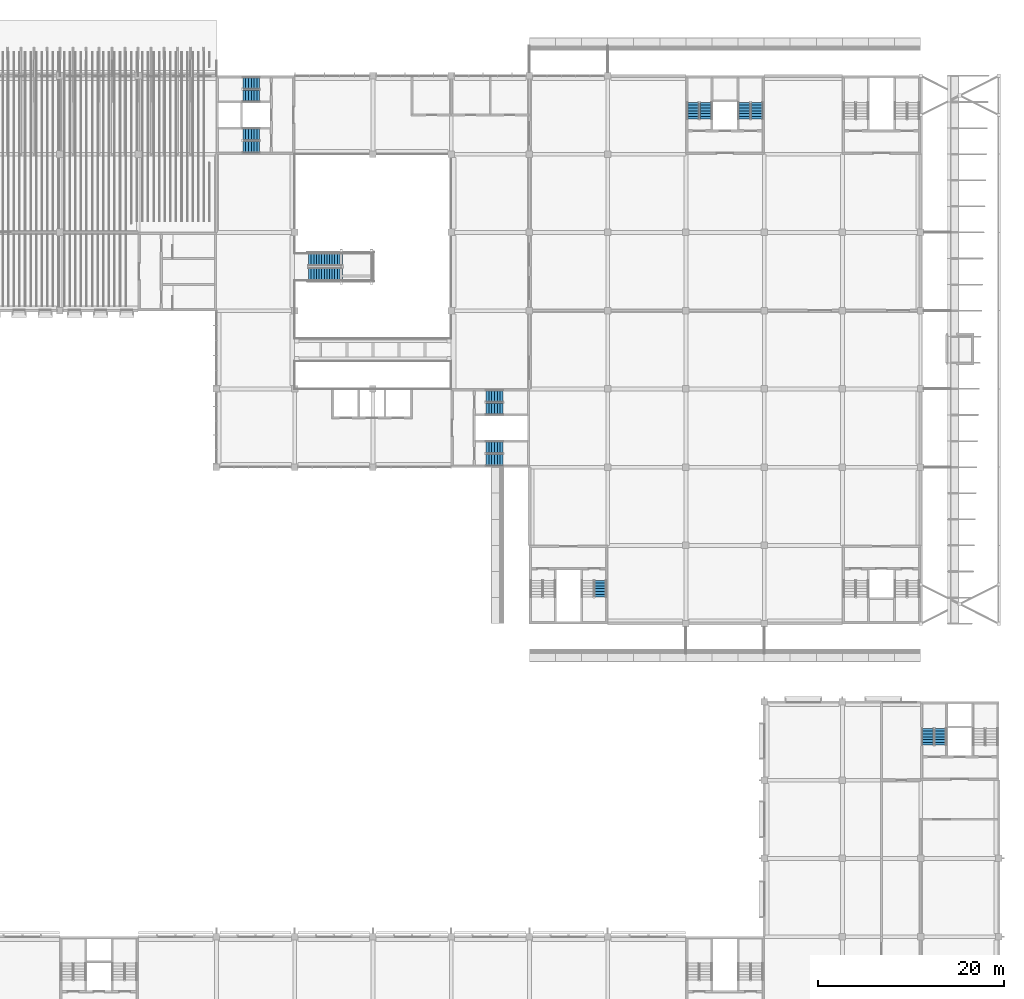
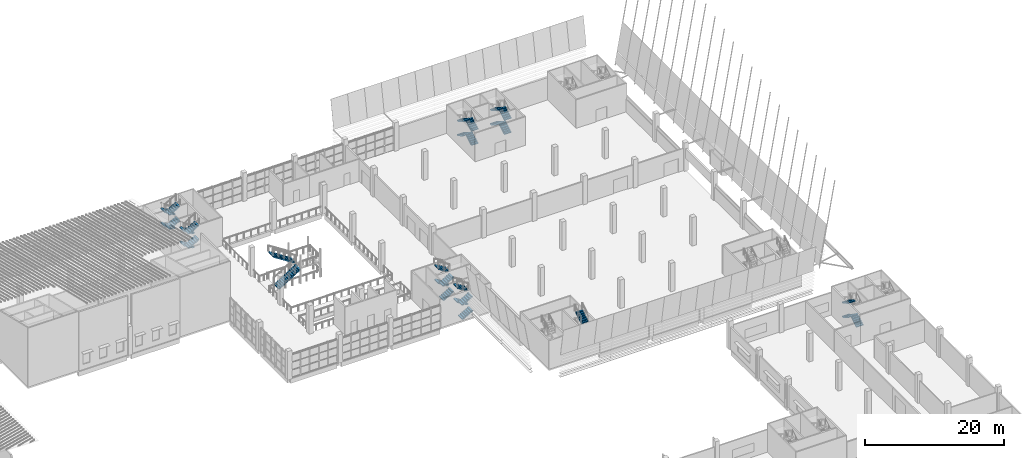
# One storey, part 30 of 82: 30 stair flights, 9 elements without a shape of their own.
"""IFC4 building model written with IfcOpenShell, lengths in metres."""

from ifc_helpers import new_model, si_unit, direction, frame, origin, place, context, subcontext, project, spatial, polyline, outline, extrude, material, type_object, element, aggregate, save


model = new_model("IFC4")

# Units and contexts
model_context = context("Model", 3, precision=1e-05, world=origin(), true_north=direction((0.0, 1.0)))
body_context = subcontext(model_context, "Body", "Model", "MODEL_VIEW")
ifc_project = project(units=[si_unit("LENGTHUNIT", "METRE"), si_unit("AREAUNIT", "SQUARE_METRE"), si_unit("VOLUMEUNIT", "CUBIC_METRE"), si_unit("PLANEANGLEUNIT", "RADIAN"), si_unit("MASSUNIT", "GRAM", prefix="KILO")], contexts=[model_context])

# Site, building, storey
site_placement = place(None, origin())
site = spatial("IfcSite", under=ifc_project, at=site_placement, CompositionType="ELEMENT")
building_placement = place(site_placement, origin())
building = spatial("IfcBuilding", under=site, at=building_placement, Name="Almond Square Museum", CompositionType="ELEMENT")
storey_placement = place(building_placement, frame((0.0, 0.0, 20.0)))
storey = spatial("IfcBuildingStorey", under=building, at=storey_placement, Name="L03", CompositionType="ELEMENT", Elevation=20.0)

# Stair, stair flight
ifc_material_1 = material(Name="Concrete C40/50", Category="concrete")
stair_type_1 = type_object("IfcStairType", Name="Exit stair 28 risers of 179 mm", PredefinedType="HALF_TURN_STAIR", material=ifc_material_1)
stair_1_placement = place(storey_placement, origin())
stair_1 = element("IfcStair", 1, at=stair_1_placement, inside=storey, type_object=stair_type_1, Name="L03 stair H1-2", PredefinedType="HALF_TURN_STAIR")
ifc_material_2 = material(Name="Concrete C40/50", Category="concrete")
stair_flight_type_1 = type_object("IfcStairFlightType", Name="Concrete flight", PredefinedType="STRAIGHT", material=ifc_material_2)
stair_flight_1_placement = place(storey_placement, frame((114.425048828125, 53.25, 3.75), z_axis=(0.0, 0.0, 1.0), x_axis=(0.0, 1.0, 0.0)))
stair_flight_1 = element("IfcStairFlight", 2, at=stair_flight_1_placement, type_object=stair_flight_type_1, Name="ST-02 flight 4", NumberOfRisers=7, NumberOfTreads=6, PredefinedType="STRAIGHT", RiserHeight=0.178571429, TreadLength=0.3, context=body_context, shape_type="SweptSolid", body=[
    extrude(outline(polyline([(0.0, 0.0), (0.0, 0.178466796875), (0.300048828125, 0.178466796875), (0.300048828125, 0.357177734375), (0.60009765625, 0.357177734375), (0.60009765625, 0.53564453125), (0.89990234375, 0.53564453125), (0.89990234375, 0.71435546875), (1.199951171875, 0.71435546875), (1.199951171875, 0.892822265625), (1.5, 0.892822265625), (1.5, 1.071533203125), (1.800048828125, 1.071533203125), (1.800048828125, 1.25), (1.800048828125, 0.89697265625), (0.29296875, 0.0), (0.0, 0.0)])), frame((0.0, 0.574951171875, 0.0), z_axis=(0.0, -1.0, 0.0), x_axis=(1.0, 0.0, 0.0)), (0.0, 0.0, 1.0), 1.14990234375),
])
aggregate(stair_1, [stair_flight_1])

# Stair, stair flights
stair_2_placement = place(storey_placement, origin())
stair_2 = element("IfcStair", 3, at=stair_2_placement, inside=storey, type_object=stair_type_1, Name="L03 stair H4-1", PredefinedType="HALF_TURN_STAIR")
stair_flight_2_placement = place(storey_placement, frame((125.72509765625, 104.550048828125, 0.0), z_axis=(0.0, 0.0, 1.0), x_axis=(0.0, 1.0, 0.0)))
stair_flight_2 = element("IfcStairFlight", 4, at=stair_flight_2_placement, type_object=stair_flight_type_1, Name="ST-07 flight 1", NumberOfRisers=7, NumberOfTreads=6, PredefinedType="STRAIGHT", RiserHeight=0.178571429, TreadLength=0.3, context=body_context, shape_type="SweptSolid", body=[
    extrude(outline(polyline([(0.0, 0.0), (0.0, 0.178466796875), (0.300048828125, 0.178466796875), (0.300048828125, 0.357177734375), (0.60009765625, 0.357177734375), (0.60009765625, 0.53564453125), (0.89990234375, 0.53564453125), (0.89990234375, 0.71435546875), (1.199951171875, 0.71435546875), (1.199951171875, 0.892822265625), (1.5, 0.892822265625), (1.5, 1.071533203125), (1.800048828125, 1.071533203125), (1.800048828125, 1.25), (1.800048828125, 0.89697265625), (0.29296875, 0.0), (0.0, 0.0)])), frame((0.0, 0.574951171875, 0.0), z_axis=(0.0, -1.0, 0.0), x_axis=(1.0, 0.0, 0.0)), (0.0, 0.0, 1.0), 1.14990234375),
])
stair_flight_3_placement = place(storey_placement, frame((124.375, 106.35009765625, 1.25), z_axis=(0.0, 0.0, 1.0), x_axis=(0.0, -1.0, 0.0)))
stair_flight_3 = element("IfcStairFlight", 5, at=stair_flight_3_placement, type_object=stair_flight_type_1, Name="ST-07 flight 2", NumberOfRisers=7, NumberOfTreads=6, PredefinedType="STRAIGHT", RiserHeight=0.178571429, TreadLength=0.3, context=body_context, shape_type="SweptSolid", body=[
    extrude(outline(polyline([(0.0, 0.0), (0.0, 0.178466796875), (0.300048828125, 0.178466796875), (0.300048828125, 0.357177734375), (0.60009765625, 0.357177734375), (0.60009765625, 0.53564453125), (0.89990234375, 0.53564453125), (0.89990234375, 0.71435546875), (1.199951171875, 0.71435546875), (1.199951171875, 0.892822265625), (1.5, 0.892822265625), (1.5, 1.071533203125), (1.800048828125, 1.071533203125), (1.800048828125, 1.25), (1.800048828125, 0.89697265625), (0.29296875, 0.0), (0.0, 0.0)])), frame((0.0, 0.574951171875, 0.0), z_axis=(0.0, -1.0, 0.0), x_axis=(1.0, 0.0, 0.0)), (0.0, 0.0, 1.0), 1.14990234375),
])
stair_flight_4_placement = place(storey_placement, frame((125.72509765625, 104.550048828125, 2.5), z_axis=(0.0, 0.0, 1.0), x_axis=(0.0, 1.0, 0.0)))
stair_flight_4 = element("IfcStairFlight", 6, at=stair_flight_4_placement, type_object=stair_flight_type_1, Name="ST-07 flight 3", NumberOfRisers=7, NumberOfTreads=6, PredefinedType="STRAIGHT", RiserHeight=0.178571429, TreadLength=0.3, context=body_context, shape_type="SweptSolid", body=[
    extrude(outline(polyline([(0.0, 0.0), (0.0, 0.178466796875), (0.300048828125, 0.178466796875), (0.300048828125, 0.357177734375), (0.60009765625, 0.357177734375), (0.60009765625, 0.53564453125), (0.89990234375, 0.53564453125), (0.89990234375, 0.71435546875), (1.199951171875, 0.71435546875), (1.199951171875, 0.892822265625), (1.5, 0.892822265625), (1.5, 1.071533203125), (1.800048828125, 1.071533203125), (1.800048828125, 1.25), (1.800048828125, 0.89697265625), (0.29296875, 0.0), (0.0, 0.0)])), frame((0.0, 0.574951171875, 0.0), z_axis=(0.0, -1.0, 0.0), x_axis=(1.0, 0.0, 0.0)), (0.0, 0.0, 1.0), 1.14990234375),
])
stair_flight_5_placement = place(storey_placement, frame((124.375, 106.35009765625, 3.75), z_axis=(0.0, 0.0, 1.0), x_axis=(0.0, -1.0, 0.0)))
stair_flight_5 = element("IfcStairFlight", 7, at=stair_flight_5_placement, type_object=stair_flight_type_1, Name="ST-07 flight 4", NumberOfRisers=7, NumberOfTreads=6, PredefinedType="STRAIGHT", RiserHeight=0.178571429, TreadLength=0.3, context=body_context, shape_type="SweptSolid", body=[
    extrude(outline(polyline([(0.0, 0.0), (0.0, 0.178466796875), (0.300048828125, 0.178466796875), (0.300048828125, 0.357177734375), (0.60009765625, 0.357177734375), (0.60009765625, 0.53564453125), (0.89990234375, 0.53564453125), (0.89990234375, 0.71435546875), (1.199951171875, 0.71435546875), (1.199951171875, 0.892822265625), (1.5, 0.892822265625), (1.5, 1.071533203125), (1.800048828125, 1.071533203125), (1.800048828125, 1.25), (1.800048828125, 0.89697265625), (0.29296875, 0.0), (0.0, 0.0)])), frame((0.0, 0.574951171875, 0.0), z_axis=(0.0, -1.0, 0.0), x_axis=(1.0, 0.0, 0.0)), (0.0, 0.0, 1.0), 1.14990234375),
])
aggregate(stair_2, [stair_flight_2, stair_flight_3, stair_flight_4, stair_flight_5])

stair_3_placement = place(storey_placement, origin())
stair_3 = element("IfcStair", 8, at=stair_3_placement, inside=storey, type_object=stair_type_1, Name="L03 stair H4-2", PredefinedType="HALF_TURN_STAIR")
stair_flight_6_placement = place(storey_placement, frame((131.22509765625, 104.550048828125, 0.0), z_axis=(0.0, 0.0, 1.0), x_axis=(0.0, 1.0, 0.0)))
stair_flight_6 = element("IfcStairFlight", 9, at=stair_flight_6_placement, type_object=stair_flight_type_1, Name="ST-08 flight 1", NumberOfRisers=7, NumberOfTreads=6, PredefinedType="STRAIGHT", RiserHeight=0.178571429, TreadLength=0.3, context=body_context, shape_type="SweptSolid", body=[
    extrude(outline(polyline([(0.0, 0.0), (0.0, 0.178466796875), (0.300048828125, 0.178466796875), (0.300048828125, 0.357177734375), (0.60009765625, 0.357177734375), (0.60009765625, 0.53564453125), (0.89990234375, 0.53564453125), (0.89990234375, 0.71435546875), (1.199951171875, 0.71435546875), (1.199951171875, 0.892822265625), (1.5, 0.892822265625), (1.5, 1.071533203125), (1.800048828125, 1.071533203125), (1.800048828125, 1.25), (1.800048828125, 0.89697265625), (0.29296875, 0.0), (0.0, 0.0)])), frame((0.0, 0.574951171875, 0.0), z_axis=(0.0, -1.0, 0.0), x_axis=(1.0, 0.0, 0.0)), (0.0, 0.0, 1.0), 1.14990234375),
])
stair_flight_7_placement = place(storey_placement, frame((129.875, 106.35009765625, 1.25), z_axis=(0.0, 0.0, 1.0), x_axis=(0.0, -1.0, 0.0)))
stair_flight_7 = element("IfcStairFlight", 10, at=stair_flight_7_placement, type_object=stair_flight_type_1, Name="ST-08 flight 2", NumberOfRisers=7, NumberOfTreads=6, PredefinedType="STRAIGHT", RiserHeight=0.178571429, TreadLength=0.3, context=body_context, shape_type="SweptSolid", body=[
    extrude(outline(polyline([(0.0, 0.0), (0.0, 0.178466796875), (0.300048828125, 0.178466796875), (0.300048828125, 0.357177734375), (0.60009765625, 0.357177734375), (0.60009765625, 0.53564453125), (0.89990234375, 0.53564453125), (0.89990234375, 0.71435546875), (1.199951171875, 0.71435546875), (1.199951171875, 0.892822265625), (1.5, 0.892822265625), (1.5, 1.071533203125), (1.800048828125, 1.071533203125), (1.800048828125, 1.25), (1.800048828125, 0.89697265625), (0.29296875, 0.0), (0.0, 0.0)])), frame((0.0, 0.574951171875, 0.0), z_axis=(0.0, -1.0, 0.0), x_axis=(1.0, 0.0, 0.0)), (0.0, 0.0, 1.0), 1.14990234375),
])
stair_flight_8_placement = place(storey_placement, frame((131.22509765625, 104.550048828125, 2.5), z_axis=(0.0, 0.0, 1.0), x_axis=(0.0, 1.0, 0.0)))
stair_flight_8 = element("IfcStairFlight", 11, at=stair_flight_8_placement, type_object=stair_flight_type_1, Name="ST-08 flight 3", NumberOfRisers=7, NumberOfTreads=6, PredefinedType="STRAIGHT", RiserHeight=0.178571429, TreadLength=0.3, context=body_context, shape_type="SweptSolid", body=[
    extrude(outline(polyline([(0.0, 0.0), (0.0, 0.178466796875), (0.300048828125, 0.178466796875), (0.300048828125, 0.357177734375), (0.60009765625, 0.357177734375), (0.60009765625, 0.53564453125), (0.89990234375, 0.53564453125), (0.89990234375, 0.71435546875), (1.199951171875, 0.71435546875), (1.199951171875, 0.892822265625), (1.5, 0.892822265625), (1.5, 1.071533203125), (1.800048828125, 1.071533203125), (1.800048828125, 1.25), (1.800048828125, 0.89697265625), (0.29296875, 0.0), (0.0, 0.0)])), frame((0.0, 0.574951171875, 0.0), z_axis=(0.0, -1.0, 0.0), x_axis=(1.0, 0.0, 0.0)), (0.0, 0.0, 1.0), 1.14990234375),
])
stair_flight_9_placement = place(storey_placement, frame((129.875, 106.35009765625, 3.75), z_axis=(0.0, 0.0, 1.0), x_axis=(0.0, -1.0, 0.0)))
stair_flight_9 = element("IfcStairFlight", 12, at=stair_flight_9_placement, type_object=stair_flight_type_1, Name="ST-08 flight 4", NumberOfRisers=7, NumberOfTreads=6, PredefinedType="STRAIGHT", RiserHeight=0.178571429, TreadLength=0.3, context=body_context, shape_type="SweptSolid", body=[
    extrude(outline(polyline([(0.0, 0.0), (0.0, 0.178466796875), (0.300048828125, 0.178466796875), (0.300048828125, 0.357177734375), (0.60009765625, 0.357177734375), (0.60009765625, 0.53564453125), (0.89990234375, 0.53564453125), (0.89990234375, 0.71435546875), (1.199951171875, 0.71435546875), (1.199951171875, 0.892822265625), (1.5, 0.892822265625), (1.5, 1.071533203125), (1.800048828125, 1.071533203125), (1.800048828125, 1.25), (1.800048828125, 0.89697265625), (0.29296875, 0.0), (0.0, 0.0)])), frame((0.0, 0.574951171875, 0.0), z_axis=(0.0, -1.0, 0.0), x_axis=(1.0, 0.0, 0.0)), (0.0, 0.0, 1.0), 1.14990234375),
])
aggregate(stair_3, [stair_flight_6, stair_flight_7, stair_flight_8, stair_flight_9])

stair_4_placement = place(storey_placement, origin())
stair_4 = element("IfcStair", 13, at=stair_4_placement, inside=storey, type_object=stair_type_1, Name="L03 stair A1-1", PredefinedType="HALF_TURN_STAIR")
stair_flight_10_placement = place(storey_placement, frame((77.85009765625, 102.925048828125, 0.0), z_axis=(0.0, 0.0, 1.0), x_axis=(-1.0, 0.0, 0.0)))
stair_flight_10 = element("IfcStairFlight", 14, at=stair_flight_10_placement, type_object=stair_flight_type_1, Name="ST-09 flight 1", NumberOfRisers=7, NumberOfTreads=6, PredefinedType="STRAIGHT", RiserHeight=0.178571429, TreadLength=0.3, context=body_context, shape_type="SweptSolid", body=[
    extrude(outline(polyline([(0.0, 0.0), (0.0, 0.178466796875), (0.300048828125, 0.178466796875), (0.300048828125, 0.357177734375), (0.60009765625, 0.357177734375), (0.60009765625, 0.53564453125), (0.89990234375, 0.53564453125), (0.89990234375, 0.71435546875), (1.199951171875, 0.71435546875), (1.199951171875, 0.892822265625), (1.5, 0.892822265625), (1.5, 1.071533203125), (1.800048828125, 1.071533203125), (1.800048828125, 1.25), (1.800048828125, 0.89697265625), (0.29296875, 0.0), (0.0, 0.0)])), frame((0.0, 0.574951171875, 0.0), z_axis=(0.0, -1.0, 0.0), x_axis=(1.0, 0.0, 0.0)), (0.0, 0.0, 1.0), 1.14990234375),
])
stair_flight_11_placement = place(storey_placement, frame((76.050048828125, 101.574951171875, 1.25), z_axis=(0.0, 0.0, 1.0), x_axis=(1.0, 0.0, 0.0)))
stair_flight_11 = element("IfcStairFlight", 15, at=stair_flight_11_placement, type_object=stair_flight_type_1, Name="ST-09 flight 2", NumberOfRisers=7, NumberOfTreads=6, PredefinedType="STRAIGHT", RiserHeight=0.178571429, TreadLength=0.3, context=body_context, shape_type="SweptSolid", body=[
    extrude(outline(polyline([(0.0, 0.0), (0.0, 0.178466796875), (0.300048828125, 0.178466796875), (0.300048828125, 0.357177734375), (0.60009765625, 0.357177734375), (0.60009765625, 0.53564453125), (0.89990234375, 0.53564453125), (0.89990234375, 0.71435546875), (1.199951171875, 0.71435546875), (1.199951171875, 0.892822265625), (1.5, 0.892822265625), (1.5, 1.071533203125), (1.800048828125, 1.071533203125), (1.800048828125, 1.25), (1.800048828125, 0.89697265625), (0.29296875, 0.0), (0.0, 0.0)])), frame((0.0, 0.574951171875, 0.0), z_axis=(0.0, -1.0, 0.0), x_axis=(1.0, 0.0, 0.0)), (0.0, 0.0, 1.0), 1.14990234375),
])
stair_flight_12_placement = place(storey_placement, frame((77.85009765625, 102.925048828125, 2.5), z_axis=(0.0, 0.0, 1.0), x_axis=(-1.0, 0.0, 0.0)))
stair_flight_12 = element("IfcStairFlight", 16, at=stair_flight_12_placement, type_object=stair_flight_type_1, Name="ST-09 flight 3", NumberOfRisers=7, NumberOfTreads=6, PredefinedType="STRAIGHT", RiserHeight=0.178571429, TreadLength=0.3, context=body_context, shape_type="SweptSolid", body=[
    extrude(outline(polyline([(0.0, 0.0), (0.0, 0.178466796875), (0.300048828125, 0.178466796875), (0.300048828125, 0.357177734375), (0.60009765625, 0.357177734375), (0.60009765625, 0.53564453125), (0.89990234375, 0.53564453125), (0.89990234375, 0.71435546875), (1.199951171875, 0.71435546875), (1.199951171875, 0.892822265625), (1.5, 0.892822265625), (1.5, 1.071533203125), (1.800048828125, 1.071533203125), (1.800048828125, 1.25), (1.800048828125, 0.89697265625), (0.29296875, 0.0), (0.0, 0.0)])), frame((0.0, 0.574951171875, 0.0), z_axis=(0.0, -1.0, 0.0), x_axis=(1.0, 0.0, 0.0)), (0.0, 0.0, 1.0), 1.14990234375),
])
stair_flight_13_placement = place(storey_placement, frame((76.050048828125, 101.574951171875, 3.75), z_axis=(0.0, 0.0, 1.0), x_axis=(1.0, 0.0, 0.0)))
stair_flight_13 = element("IfcStairFlight", 17, at=stair_flight_13_placement, type_object=stair_flight_type_1, Name="ST-09 flight 4", NumberOfRisers=7, NumberOfTreads=6, PredefinedType="STRAIGHT", RiserHeight=0.178571429, TreadLength=0.3, context=body_context, shape_type="SweptSolid", body=[
    extrude(outline(polyline([(0.0, 0.0), (0.0, 0.178466796875), (0.300048828125, 0.178466796875), (0.300048828125, 0.357177734375), (0.60009765625, 0.357177734375), (0.60009765625, 0.53564453125), (0.89990234375, 0.53564453125), (0.89990234375, 0.71435546875), (1.199951171875, 0.71435546875), (1.199951171875, 0.892822265625), (1.5, 0.892822265625), (1.5, 1.071533203125), (1.800048828125, 1.071533203125), (1.800048828125, 1.25), (1.800048828125, 0.89697265625), (0.29296875, 0.0), (0.0, 0.0)])), frame((0.0, 0.574951171875, 0.0), z_axis=(0.0, -1.0, 0.0), x_axis=(1.0, 0.0, 0.0)), (0.0, 0.0, 1.0), 1.14990234375),
])
aggregate(stair_4, [stair_flight_10, stair_flight_11, stair_flight_12, stair_flight_13])

stair_5_placement = place(storey_placement, origin())
stair_5 = element("IfcStair", 18, at=stair_5_placement, inside=storey, type_object=stair_type_1, Name="L03 stair A1-2", PredefinedType="HALF_TURN_STAIR")
stair_flight_14_placement = place(storey_placement, frame((77.85009765625, 108.425048828125, 0.0), z_axis=(0.0, 0.0, 1.0), x_axis=(-1.0, 0.0, 0.0)))
stair_flight_14 = element("IfcStairFlight", 19, at=stair_flight_14_placement, type_object=stair_flight_type_1, Name="ST-10 flight 1", NumberOfRisers=7, NumberOfTreads=6, PredefinedType="STRAIGHT", RiserHeight=0.178571429, TreadLength=0.3, context=body_context, shape_type="SweptSolid", body=[
    extrude(outline(polyline([(0.0, 0.0), (0.0, 0.178466796875), (0.300048828125, 0.178466796875), (0.300048828125, 0.357177734375), (0.60009765625, 0.357177734375), (0.60009765625, 0.53564453125), (0.89990234375, 0.53564453125), (0.89990234375, 0.71435546875), (1.199951171875, 0.71435546875), (1.199951171875, 0.892822265625), (1.5, 0.892822265625), (1.5, 1.071533203125), (1.800048828125, 1.071533203125), (1.800048828125, 1.25), (1.800048828125, 0.89697265625), (0.29296875, 0.0), (0.0, 0.0)])), frame((0.0, 0.574951171875, 0.0), z_axis=(0.0, -1.0, 0.0), x_axis=(1.0, 0.0, 0.0)), (0.0, 0.0, 1.0), 1.14990234375),
])
stair_flight_15_placement = place(storey_placement, frame((76.050048828125, 107.074951171875, 1.25), z_axis=(0.0, 0.0, 1.0), x_axis=(1.0, 0.0, 0.0)))
stair_flight_15 = element("IfcStairFlight", 20, at=stair_flight_15_placement, type_object=stair_flight_type_1, Name="ST-10 flight 2", NumberOfRisers=7, NumberOfTreads=6, PredefinedType="STRAIGHT", RiserHeight=0.178571429, TreadLength=0.3, context=body_context, shape_type="SweptSolid", body=[
    extrude(outline(polyline([(0.0, 0.0), (0.0, 0.178466796875), (0.300048828125, 0.178466796875), (0.300048828125, 0.357177734375), (0.60009765625, 0.357177734375), (0.60009765625, 0.53564453125), (0.89990234375, 0.53564453125), (0.89990234375, 0.71435546875), (1.199951171875, 0.71435546875), (1.199951171875, 0.892822265625), (1.5, 0.892822265625), (1.5, 1.071533203125), (1.800048828125, 1.071533203125), (1.800048828125, 1.25), (1.800048828125, 0.89697265625), (0.29296875, 0.0), (0.0, 0.0)])), frame((0.0, 0.574951171875, 0.0), z_axis=(0.0, -1.0, 0.0), x_axis=(1.0, 0.0, 0.0)), (0.0, 0.0, 1.0), 1.14990234375),
])
stair_flight_16_placement = place(storey_placement, frame((77.85009765625, 108.425048828125, 2.5), z_axis=(0.0, 0.0, 1.0), x_axis=(-1.0, 0.0, 0.0)))
stair_flight_16 = element("IfcStairFlight", 21, at=stair_flight_16_placement, type_object=stair_flight_type_1, Name="ST-10 flight 3", NumberOfRisers=7, NumberOfTreads=6, PredefinedType="STRAIGHT", RiserHeight=0.178571429, TreadLength=0.3, context=body_context, shape_type="SweptSolid", body=[
    extrude(outline(polyline([(0.0, 0.0), (0.0, 0.178466796875), (0.300048828125, 0.178466796875), (0.300048828125, 0.357177734375), (0.60009765625, 0.357177734375), (0.60009765625, 0.53564453125), (0.89990234375, 0.53564453125), (0.89990234375, 0.71435546875), (1.199951171875, 0.71435546875), (1.199951171875, 0.892822265625), (1.5, 0.892822265625), (1.5, 1.071533203125), (1.800048828125, 1.071533203125), (1.800048828125, 1.25), (1.800048828125, 0.89697265625), (0.29296875, 0.0), (0.0, 0.0)])), frame((0.0, 0.574951171875, 0.0), z_axis=(0.0, -1.0, 0.0), x_axis=(1.0, 0.0, 0.0)), (0.0, 0.0, 1.0), 1.14990234375),
])
stair_flight_17_placement = place(storey_placement, frame((76.050048828125, 107.074951171875, 3.75), z_axis=(0.0, 0.0, 1.0), x_axis=(1.0, 0.0, 0.0)))
stair_flight_17 = element("IfcStairFlight", 22, at=stair_flight_17_placement, type_object=stair_flight_type_1, Name="ST-10 flight 4", NumberOfRisers=7, NumberOfTreads=6, PredefinedType="STRAIGHT", RiserHeight=0.178571429, TreadLength=0.3, context=body_context, shape_type="SweptSolid", body=[
    extrude(outline(polyline([(0.0, 0.0), (0.0, 0.178466796875), (0.300048828125, 0.178466796875), (0.300048828125, 0.357177734375), (0.60009765625, 0.357177734375), (0.60009765625, 0.53564453125), (0.89990234375, 0.53564453125), (0.89990234375, 0.71435546875), (1.199951171875, 0.71435546875), (1.199951171875, 0.892822265625), (1.5, 0.892822265625), (1.5, 1.071533203125), (1.800048828125, 1.071533203125), (1.800048828125, 1.25), (1.800048828125, 0.89697265625), (0.29296875, 0.0), (0.0, 0.0)])), frame((0.0, 0.574951171875, 0.0), z_axis=(0.0, -1.0, 0.0), x_axis=(1.0, 0.0, 0.0)), (0.0, 0.0, 1.0), 1.14990234375),
])
aggregate(stair_5, [stair_flight_14, stair_flight_15, stair_flight_16, stair_flight_17])

stair_6_placement = place(storey_placement, origin())
stair_6 = element("IfcStair", 23, at=stair_6_placement, inside=storey, type_object=stair_type_1, Name="L03 stair A2-1", PredefinedType="HALF_TURN_STAIR")
stair_flight_18_placement = place(storey_placement, frame((102.14990234375, 67.97509765625, 0.0), z_axis=(0.0, 0.0, 1.0), x_axis=(1.0, 0.0, 0.0)))
stair_flight_18 = element("IfcStairFlight", 24, at=stair_flight_18_placement, type_object=stair_flight_type_1, Name="ST-11 flight 1", NumberOfRisers=7, NumberOfTreads=6, PredefinedType="STRAIGHT", RiserHeight=0.178571429, TreadLength=0.3, context=body_context, shape_type="SweptSolid", body=[
    extrude(outline(polyline([(0.0, 0.0), (0.0, 0.178466796875), (0.300048828125, 0.178466796875), (0.300048828125, 0.357177734375), (0.60009765625, 0.357177734375), (0.60009765625, 0.53564453125), (0.89990234375, 0.53564453125), (0.89990234375, 0.71435546875), (1.199951171875, 0.71435546875), (1.199951171875, 0.892822265625), (1.5, 0.892822265625), (1.5, 1.071533203125), (1.800048828125, 1.071533203125), (1.800048828125, 1.25), (1.800048828125, 0.89697265625), (0.29296875, 0.0), (0.0, 0.0)])), frame((0.0, 0.574951171875, 0.0), z_axis=(0.0, -1.0, 0.0), x_axis=(1.0, 0.0, 0.0)), (0.0, 0.0, 1.0), 1.14990234375),
])
stair_flight_19_placement = place(storey_placement, frame((103.949951171875, 69.324951171875, 1.25), z_axis=(0.0, 0.0, 1.0), x_axis=(-1.0, 0.0, 0.0)))
stair_flight_19 = element("IfcStairFlight", 25, at=stair_flight_19_placement, type_object=stair_flight_type_1, Name="ST-11 flight 2", NumberOfRisers=7, NumberOfTreads=6, PredefinedType="STRAIGHT", RiserHeight=0.178571429, TreadLength=0.3, context=body_context, shape_type="SweptSolid", body=[
    extrude(outline(polyline([(0.0, 0.0), (0.0, 0.178466796875), (0.300048828125, 0.178466796875), (0.300048828125, 0.357177734375), (0.60009765625, 0.357177734375), (0.60009765625, 0.53564453125), (0.89990234375, 0.53564453125), (0.89990234375, 0.71435546875), (1.199951171875, 0.71435546875), (1.199951171875, 0.892822265625), (1.5, 0.892822265625), (1.5, 1.071533203125), (1.800048828125, 1.071533203125), (1.800048828125, 1.25), (1.800048828125, 0.89697265625), (0.29296875, 0.0), (0.0, 0.0)])), frame((0.0, 0.574951171875, 0.0), z_axis=(0.0, -1.0, 0.0), x_axis=(1.0, 0.0, 0.0)), (0.0, 0.0, 1.0), 1.14990234375),
])
stair_flight_20_placement = place(storey_placement, frame((102.14990234375, 67.97509765625, 2.5), z_axis=(0.0, 0.0, 1.0), x_axis=(1.0, 0.0, 0.0)))
stair_flight_20 = element("IfcStairFlight", 26, at=stair_flight_20_placement, type_object=stair_flight_type_1, Name="ST-11 flight 3", NumberOfRisers=7, NumberOfTreads=6, PredefinedType="STRAIGHT", RiserHeight=0.178571429, TreadLength=0.3, context=body_context, shape_type="SweptSolid", body=[
    extrude(outline(polyline([(0.0, 0.0), (0.0, 0.178466796875), (0.300048828125, 0.178466796875), (0.300048828125, 0.357177734375), (0.60009765625, 0.357177734375), (0.60009765625, 0.53564453125), (0.89990234375, 0.53564453125), (0.89990234375, 0.71435546875), (1.199951171875, 0.71435546875), (1.199951171875, 0.892822265625), (1.5, 0.892822265625), (1.5, 1.071533203125), (1.800048828125, 1.071533203125), (1.800048828125, 1.25), (1.800048828125, 0.89697265625), (0.29296875, 0.0), (0.0, 0.0)])), frame((0.0, 0.574951171875, 0.0), z_axis=(0.0, -1.0, 0.0), x_axis=(1.0, 0.0, 0.0)), (0.0, 0.0, 1.0), 1.14990234375),
])
stair_flight_21_placement = place(storey_placement, frame((103.949951171875, 69.324951171875, 3.75), z_axis=(0.0, 0.0, 1.0), x_axis=(-1.0, 0.0, 0.0)))
stair_flight_21 = element("IfcStairFlight", 27, at=stair_flight_21_placement, type_object=stair_flight_type_1, Name="ST-11 flight 4", NumberOfRisers=7, NumberOfTreads=6, PredefinedType="STRAIGHT", RiserHeight=0.178571429, TreadLength=0.3, context=body_context, shape_type="SweptSolid", body=[
    extrude(outline(polyline([(0.0, 0.0), (0.0, 0.178466796875), (0.300048828125, 0.178466796875), (0.300048828125, 0.357177734375), (0.60009765625, 0.357177734375), (0.60009765625, 0.53564453125), (0.89990234375, 0.53564453125), (0.89990234375, 0.71435546875), (1.199951171875, 0.71435546875), (1.199951171875, 0.892822265625), (1.5, 0.892822265625), (1.5, 1.071533203125), (1.800048828125, 1.071533203125), (1.800048828125, 1.25), (1.800048828125, 0.89697265625), (0.29296875, 0.0), (0.0, 0.0)])), frame((0.0, 0.574951171875, 0.0), z_axis=(0.0, -1.0, 0.0), x_axis=(1.0, 0.0, 0.0)), (0.0, 0.0, 1.0), 1.14990234375),
])
aggregate(stair_6, [stair_flight_18, stair_flight_19, stair_flight_20, stair_flight_21])

stair_7_placement = place(storey_placement, origin())
stair_7 = element("IfcStair", 28, at=stair_7_placement, inside=storey, type_object=stair_type_1, Name="L03 stair A2-2", PredefinedType="HALF_TURN_STAIR")
stair_flight_22_placement = place(storey_placement, frame((102.14990234375, 73.47509765625, 0.0), z_axis=(0.0, 0.0, 1.0), x_axis=(1.0, 0.0, 0.0)))
stair_flight_22 = element("IfcStairFlight", 29, at=stair_flight_22_placement, type_object=stair_flight_type_1, Name="ST-12 flight 1", NumberOfRisers=7, NumberOfTreads=6, PredefinedType="STRAIGHT", RiserHeight=0.178571429, TreadLength=0.3, context=body_context, shape_type="SweptSolid", body=[
    extrude(outline(polyline([(0.0, 0.0), (0.0, 0.178466796875), (0.300048828125, 0.178466796875), (0.300048828125, 0.357177734375), (0.60009765625, 0.357177734375), (0.60009765625, 0.53564453125), (0.89990234375, 0.53564453125), (0.89990234375, 0.71435546875), (1.199951171875, 0.71435546875), (1.199951171875, 0.892822265625), (1.5, 0.892822265625), (1.5, 1.071533203125), (1.800048828125, 1.071533203125), (1.800048828125, 1.25), (1.800048828125, 0.89697265625), (0.29296875, 0.0), (0.0, 0.0)])), frame((0.0, 0.574951171875, 0.0), z_axis=(0.0, -1.0, 0.0), x_axis=(1.0, 0.0, 0.0)), (0.0, 0.0, 1.0), 1.14990234375),
])
stair_flight_23_placement = place(storey_placement, frame((103.949951171875, 74.824951171875, 1.25), z_axis=(0.0, 0.0, 1.0), x_axis=(-1.0, 0.0, 0.0)))
stair_flight_23 = element("IfcStairFlight", 30, at=stair_flight_23_placement, type_object=stair_flight_type_1, Name="ST-12 flight 2", NumberOfRisers=7, NumberOfTreads=6, PredefinedType="STRAIGHT", RiserHeight=0.178571429, TreadLength=0.3, context=body_context, shape_type="SweptSolid", body=[
    extrude(outline(polyline([(0.0, 0.0), (0.0, 0.178466796875), (0.300048828125, 0.178466796875), (0.300048828125, 0.357177734375), (0.60009765625, 0.357177734375), (0.60009765625, 0.53564453125), (0.89990234375, 0.53564453125), (0.89990234375, 0.71435546875), (1.199951171875, 0.71435546875), (1.199951171875, 0.892822265625), (1.5, 0.892822265625), (1.5, 1.071533203125), (1.800048828125, 1.071533203125), (1.800048828125, 1.25), (1.800048828125, 0.89697265625), (0.29296875, 0.0), (0.0, 0.0)])), frame((0.0, 0.574951171875, 0.0), z_axis=(0.0, -1.0, 0.0), x_axis=(1.0, 0.0, 0.0)), (0.0, 0.0, 1.0), 1.14990234375),
])
stair_flight_24_placement = place(storey_placement, frame((102.14990234375, 73.47509765625, 2.5), z_axis=(0.0, 0.0, 1.0), x_axis=(1.0, 0.0, 0.0)))
stair_flight_24 = element("IfcStairFlight", 31, at=stair_flight_24_placement, type_object=stair_flight_type_1, Name="ST-12 flight 3", NumberOfRisers=7, NumberOfTreads=6, PredefinedType="STRAIGHT", RiserHeight=0.178571429, TreadLength=0.3, context=body_context, shape_type="SweptSolid", body=[
    extrude(outline(polyline([(0.0, 0.0), (0.0, 0.178466796875), (0.300048828125, 0.178466796875), (0.300048828125, 0.357177734375), (0.60009765625, 0.357177734375), (0.60009765625, 0.53564453125), (0.89990234375, 0.53564453125), (0.89990234375, 0.71435546875), (1.199951171875, 0.71435546875), (1.199951171875, 0.892822265625), (1.5, 0.892822265625), (1.5, 1.071533203125), (1.800048828125, 1.071533203125), (1.800048828125, 1.25), (1.800048828125, 0.89697265625), (0.29296875, 0.0), (0.0, 0.0)])), frame((0.0, 0.574951171875, 0.0), z_axis=(0.0, -1.0, 0.0), x_axis=(1.0, 0.0, 0.0)), (0.0, 0.0, 1.0), 1.14990234375),
])
stair_flight_25_placement = place(storey_placement, frame((103.949951171875, 74.824951171875, 3.75), z_axis=(0.0, 0.0, 1.0), x_axis=(-1.0, 0.0, 0.0)))
stair_flight_25 = element("IfcStairFlight", 32, at=stair_flight_25_placement, type_object=stair_flight_type_1, Name="ST-12 flight 4", NumberOfRisers=7, NumberOfTreads=6, PredefinedType="STRAIGHT", RiserHeight=0.178571429, TreadLength=0.3, context=body_context, shape_type="SweptSolid", body=[
    extrude(outline(polyline([(0.0, 0.0), (0.0, 0.178466796875), (0.300048828125, 0.178466796875), (0.300048828125, 0.357177734375), (0.60009765625, 0.357177734375), (0.60009765625, 0.53564453125), (0.89990234375, 0.53564453125), (0.89990234375, 0.71435546875), (1.199951171875, 0.71435546875), (1.199951171875, 0.892822265625), (1.5, 0.892822265625), (1.5, 1.071533203125), (1.800048828125, 1.071533203125), (1.800048828125, 1.25), (1.800048828125, 0.89697265625), (0.29296875, 0.0), (0.0, 0.0)])), frame((0.0, 0.574951171875, 0.0), z_axis=(0.0, -1.0, 0.0), x_axis=(1.0, 0.0, 0.0)), (0.0, 0.0, 1.0), 1.14990234375),
])
aggregate(stair_7, [stair_flight_22, stair_flight_23, stair_flight_24, stair_flight_25])

stair_8_placement = place(storey_placement, origin())
stair_8 = element("IfcStair", 33, at=stair_8_placement, inside=storey, type_object=stair_type_1, Name="L03 stair X1-1", PredefinedType="HALF_TURN_STAIR")
stair_flight_26_placement = place(storey_placement, frame((150.925048828125, 37.35009765625, 0.0), z_axis=(0.0, 0.0, 1.0), x_axis=(0.0, 1.0, 0.0)))
stair_flight_26 = element("IfcStairFlight", 34, at=stair_flight_26_placement, type_object=stair_flight_type_1, Name="ST-33 flight 1", NumberOfRisers=7, NumberOfTreads=6, PredefinedType="STRAIGHT", RiserHeight=0.178571429, TreadLength=0.3, context=body_context, shape_type="SweptSolid", body=[
    extrude(outline(polyline([(0.0, 0.0), (0.0, 0.178466796875), (0.300048828125, 0.178466796875), (0.300048828125, 0.357177734375), (0.60009765625, 0.357177734375), (0.60009765625, 0.53564453125), (0.89990234375, 0.53564453125), (0.89990234375, 0.71435546875), (1.199951171875, 0.71435546875), (1.199951171875, 0.892822265625), (1.5, 0.892822265625), (1.5, 1.071533203125), (1.800048828125, 1.071533203125), (1.800048828125, 1.25), (1.800048828125, 0.89697265625), (0.29296875, 0.0), (0.0, 0.0)])), frame((0.0, 0.574951171875, 0.0), z_axis=(0.0, -1.0, 0.0), x_axis=(1.0, 0.0, 0.0)), (0.0, 0.0, 1.0), 1.14990234375),
])
stair_flight_27_placement = place(storey_placement, frame((149.574951171875, 39.14990234375, 1.25), z_axis=(0.0, 0.0, 1.0), x_axis=(0.0, -1.0, 0.0)))
stair_flight_27 = element("IfcStairFlight", 35, at=stair_flight_27_placement, type_object=stair_flight_type_1, Name="ST-33 flight 2", NumberOfRisers=7, NumberOfTreads=6, PredefinedType="STRAIGHT", RiserHeight=0.178571429, TreadLength=0.3, context=body_context, shape_type="SweptSolid", body=[
    extrude(outline(polyline([(0.0, 0.0), (0.0, 0.178466796875), (0.300048828125, 0.178466796875), (0.300048828125, 0.357177734375), (0.60009765625, 0.357177734375), (0.60009765625, 0.53564453125), (0.89990234375, 0.53564453125), (0.89990234375, 0.71435546875), (1.199951171875, 0.71435546875), (1.199951171875, 0.892822265625), (1.5, 0.892822265625), (1.5, 1.071533203125), (1.800048828125, 1.071533203125), (1.800048828125, 1.25), (1.800048828125, 0.89697265625), (0.29296875, 0.0), (0.0, 0.0)])), frame((0.0, 0.574951171875, 0.0), z_axis=(0.0, -1.0, 0.0), x_axis=(1.0, 0.0, 0.0)), (0.0, 0.0, 1.0), 1.14990234375),
])
stair_flight_28_placement = place(storey_placement, frame((149.574951171875, 39.14990234375, 3.75), z_axis=(0.0, 0.0, 1.0), x_axis=(0.0, -1.0, 0.0)))
stair_flight_28 = element("IfcStairFlight", 36, at=stair_flight_28_placement, type_object=stair_flight_type_1, Name="ST-33 flight 4", NumberOfRisers=7, NumberOfTreads=6, PredefinedType="STRAIGHT", RiserHeight=0.178571429, TreadLength=0.3, context=body_context, shape_type="SweptSolid", body=[
    extrude(outline(polyline([(0.0, 0.0), (0.0, 0.178466796875), (0.300048828125, 0.178466796875), (0.300048828125, 0.357177734375), (0.60009765625, 0.357177734375), (0.60009765625, 0.53564453125), (0.89990234375, 0.53564453125), (0.89990234375, 0.71435546875), (1.199951171875, 0.71435546875), (1.199951171875, 0.892822265625), (1.5, 0.892822265625), (1.5, 1.071533203125), (1.800048828125, 1.071533203125), (1.800048828125, 1.25), (1.800048828125, 0.89697265625), (0.29296875, 0.0), (0.0, 0.0)])), frame((0.0, 0.574951171875, 0.0), z_axis=(0.0, -1.0, 0.0), x_axis=(1.0, 0.0, 0.0)), (0.0, 0.0, 1.0), 1.14990234375),
])
aggregate(stair_8, [stair_flight_26, stair_flight_27, stair_flight_28])

ifc_material_3 = material(Name="Concrete C40/50", Category="concrete")
stair_type_2 = type_object("IfcStairType", Name="Feature stair 1400 open flights", PredefinedType="HALF_TURN_STAIR", material=ifc_material_3)
stair_9_placement = place(storey_placement, origin())
stair_9 = element("IfcStair", 37, at=stair_9_placement, inside=storey, type_object=stair_type_2, Name="L03 atrium feature stair", PredefinedType="HALF_TURN_STAIR")
ifc_material_4 = material(Name="Concrete C40/50", Category="concrete")
stair_flight_type_2 = type_object("IfcStairFlightType", Name="Feature stair flight 1400", PredefinedType="STRAIGHT", material=ifc_material_4)
stair_flight_29_placement = place(storey_placement, frame((83.10009765625, 87.89990234375, 0.0), z_axis=(0.0, 0.0, 1.0), x_axis=(1.0, 0.0, 0.0)))
stair_flight_29 = element("IfcStairFlight", 38, at=stair_flight_29_placement, type_object=stair_flight_type_2, Name="ST-F flight 1", NumberOfRisers=14, NumberOfTreads=13, PredefinedType="STRAIGHT", RiserHeight=0.178571429, TreadLength=0.28, context=body_context, shape_type="SweptSolid", body=[
    extrude(outline(polyline([(0.0, 0.0), (0.0, 0.178466796875), (0.280029296875, 0.178466796875), (0.280029296875, 0.357177734375), (0.56005859375, 0.357177734375), (0.56005859375, 0.53564453125), (0.840087890625, 0.53564453125), (0.840087890625, 0.71435546875), (1.1201171875, 0.71435546875), (1.1201171875, 0.892822265625), (1.39990234375, 0.892822265625), (1.39990234375, 1.071533203125), (1.679931640625, 1.071533203125), (1.679931640625, 1.25), (1.9599609375, 1.25), (1.9599609375, 1.428466796875), (2.239990234375, 1.428466796875), (2.239990234375, 1.607177734375), (2.52001953125, 1.607177734375), (2.52001953125, 1.78564453125), (2.800048828125, 1.78564453125), (2.800048828125, 1.96435546875), (3.080078125, 1.96435546875), (3.080078125, 2.142822265625), (3.360107421875, 2.142822265625), (3.360107421875, 2.321533203125), (3.639892578125, 2.321533203125), (3.639892578125, 2.5), (3.639892578125, 2.1435546875), (0.27880859375, 0.0), (0.0, 0.0)])), frame((0.0, 0.699951171875, 0.0), z_axis=(0.0, -1.0, 0.0), x_axis=(1.0, 0.0, 0.0)), (0.0, 0.0, 1.0), 1.39990234375),
])
stair_flight_30_placement = place(storey_placement, frame((86.739990234375, 89.5, 2.5), z_axis=(0.0, 0.0, 1.0), x_axis=(-1.0, 0.0, 0.0)))
stair_flight_30 = element("IfcStairFlight", 39, at=stair_flight_30_placement, type_object=stair_flight_type_2, Name="ST-F flight 2", NumberOfRisers=14, NumberOfTreads=13, PredefinedType="STRAIGHT", RiserHeight=0.178571429, TreadLength=0.28, context=body_context, shape_type="SweptSolid", body=[
    extrude(outline(polyline([(0.0, 0.0), (0.0, 0.178466796875), (0.280029296875, 0.178466796875), (0.280029296875, 0.357177734375), (0.56005859375, 0.357177734375), (0.56005859375, 0.53564453125), (0.840087890625, 0.53564453125), (0.840087890625, 0.71435546875), (1.1201171875, 0.71435546875), (1.1201171875, 0.892822265625), (1.39990234375, 0.892822265625), (1.39990234375, 1.071533203125), (1.679931640625, 1.071533203125), (1.679931640625, 1.25), (1.9599609375, 1.25), (1.9599609375, 1.428466796875), (2.239990234375, 1.428466796875), (2.239990234375, 1.607177734375), (2.52001953125, 1.607177734375), (2.52001953125, 1.78564453125), (2.800048828125, 1.78564453125), (2.800048828125, 1.96435546875), (3.080078125, 1.96435546875), (3.080078125, 2.142822265625), (3.360107421875, 2.142822265625), (3.360107421875, 2.321533203125), (3.639892578125, 2.321533203125), (3.639892578125, 2.5), (3.639892578125, 2.1435546875), (0.27880859375, 0.0), (0.0, 0.0)])), frame((0.0, 0.699951171875, 0.0), z_axis=(0.0, -1.0, 0.0), x_axis=(1.0, 0.0, 0.0)), (0.0, 0.0, 1.0), 1.39990234375),
])
aggregate(stair_9, [stair_flight_29, stair_flight_30])

save(model, "model.ifc")
